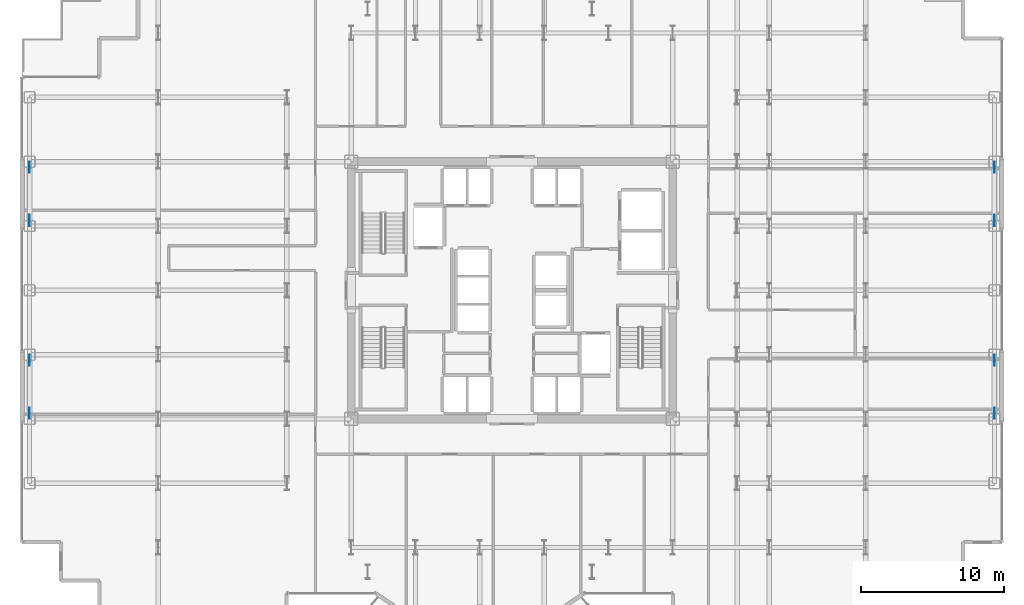
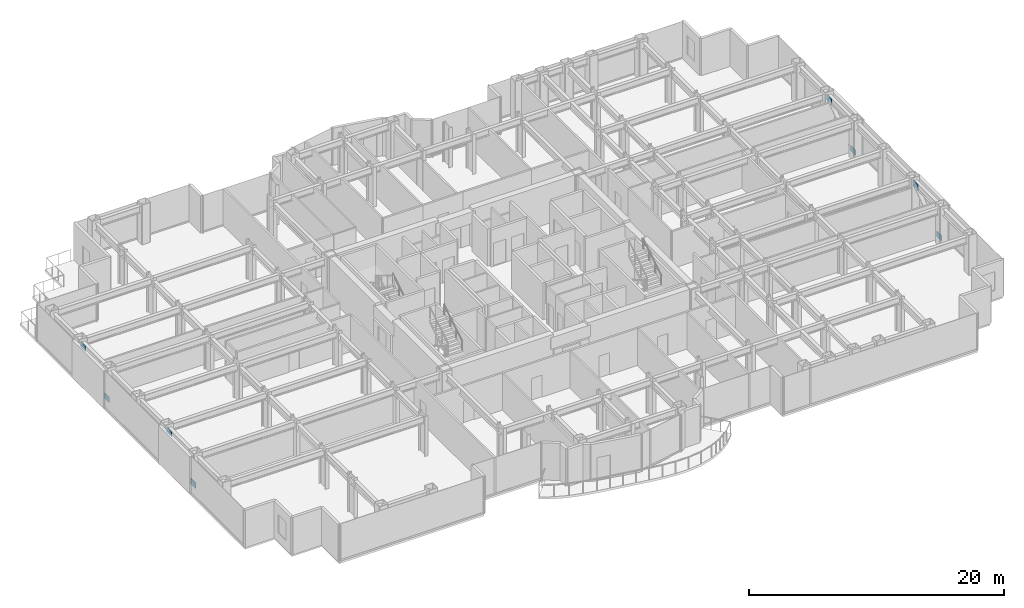
# One storey, part 21 of 29: 8 plates.
"""IFC4 building model written with IfcOpenShell, lengths in metres."""

from ifc_helpers import new_model, si_unit, direction, frame, origin, origin_2d, place, context, subcontext, project, spatial, rectangle, extrude, source, transform, mapped, material, layer, layer_set, type_object, element, save


model = new_model("IFC4")

# Units and contexts
model_context = context("Model", 3, precision=1e-05, world=origin(), true_north=direction((0.0, 1.0)))
body_context = subcontext(model_context, "Body", "Model", "MODEL_VIEW")
ifc_project = project(units=[si_unit("LENGTHUNIT", "METRE"), si_unit("AREAUNIT", "SQUARE_METRE"), si_unit("VOLUMEUNIT", "CUBIC_METRE"), si_unit("PLANEANGLEUNIT", "RADIAN"), si_unit("MASSUNIT", "GRAM", prefix="KILO")], contexts=[model_context])

# Site, building, storey
site_placement = place(None, origin())
site = spatial("IfcSite", under=ifc_project, at=site_placement, CompositionType="ELEMENT")
building_placement = place(site_placement, origin())
building = spatial("IfcBuilding", under=site, at=building_placement, Name="Nefas-Gora Pilgrimage Tower", CompositionType="ELEMENT")
storey_placement = place(building_placement, frame((0.0, 0.0, 125.0)))
storey = spatial("IfcBuildingStorey", under=building, at=storey_placement, Name="L30", CompositionType="ELEMENT", Elevation=125.0)

# Plates
ifc_material = material(Name="Steel S460", Category="steel")
ifc_layer = layer(ifc_material, 0.048095703125)
ifc_layer_set = layer_set([ifc_layer], Name="Steel S460")
plate_type = type_object("IfcPlateType", Name="PLT-NODE-N07", PredefinedType="USERDEFINED", material=ifc_layer_set)
shared_shape = source(origin(), body_context, "Body", "SweptSolid", [
    extrude(rectangle(XDim=0.780029296875, YDim=0.0380859375, at=origin_2d()), origin(), (0.0, 0.0, 1.0), 0.5400390625),
])
for number, where, z_axis, x_axis, name in (
    (1, (-33.75, -8.612060546875, 0.157470703125), (0.0, 0.0, 1.0), (0.0, 1.0, 0.0), "Structural Node Gusset Plate N07 (L30)"),
    (2, (-33.75, -4.887939453125, 2.822265625), (0.0, 0.0, 1.0), (0.0, 1.0, 0.0), "Structural Node Gusset Plate N07 (L30)"),
    (3, (-33.75, 4.887939453125, 0.157470703125), (0.0, 0.0, 1.0), (0.0, 1.0, 0.0), "Structural Node Gusset Plate N07 (L30)"),
    (4, (-33.75, 8.612060546875, 2.822265625), (0.0, 0.0, 1.0), (0.0, 1.0, 0.0), "Structural Node Gusset Plate N07 (L30)"),
    (5, (33.75, -8.612060546875, 0.157470703125), (0.0, 0.0, 1.0), (0.0, 1.0, 0.0), "Structural Node Gusset Plate N07 (L30)"),
    (6, (33.75, -4.887939453125, 2.822265625), (0.0, 0.0, 1.0), (0.0, 1.0, 0.0), "Structural Node Gusset Plate N07 (L30)"),
    (7, (33.75, 4.887939453125, 0.157470703125), (0.0, 0.0, 1.0), (0.0, 1.0, 0.0), "Structural Node Gusset Plate N07 (L30)"),
    (8, (33.75, 8.612060546875, 2.822265625), (0.0, 0.0, 1.0), (0.0, 1.0, 0.0), "Structural Node Gusset Plate N07 (L30)"),
):
    element("IfcPlate", number, at=place(storey_placement, frame(where, z_axis=z_axis, x_axis=x_axis)), inside=storey, type_object=plate_type, Name=name, ObjectType="GUSSET_PLATE", PredefinedType="USERDEFINED", context=body_context, shape_type="MappedRepresentation", body=[
        mapped(shared_shape, transform((0.0, 0.0, 0.0), x_axis=(1.0, 0.0, 0.0), y_axis=(0.0, 1.0, 0.0), z_axis=(0.0, 0.0, 1.0), scale=1.0)),
    ])

save(model, "model.ifc")
